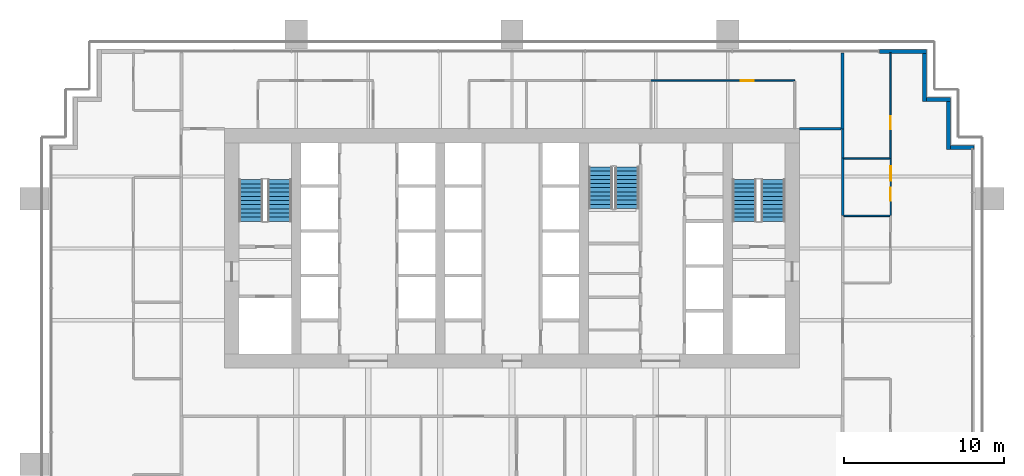
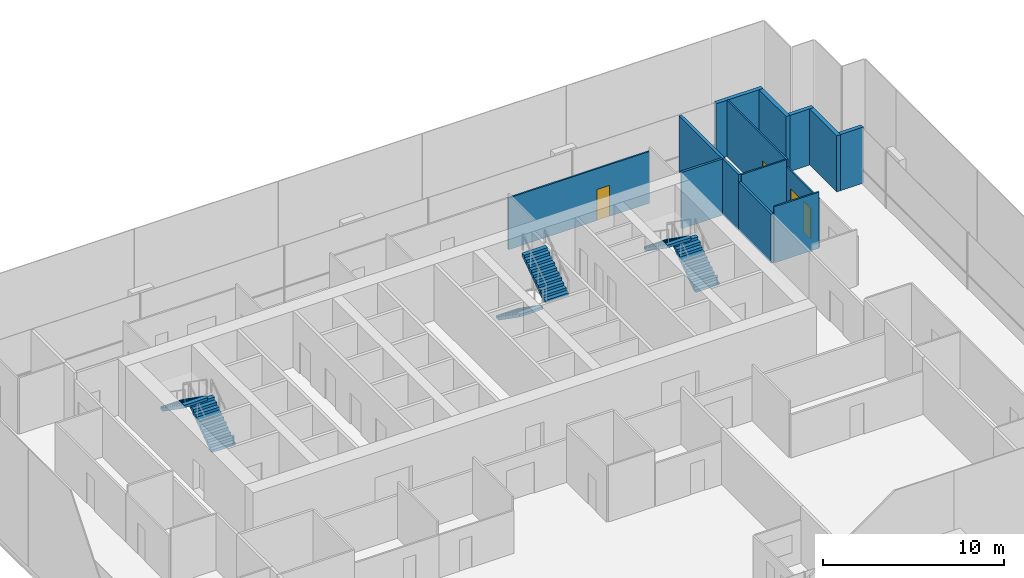
# One storey, part 14 of 17: 14 walls, 6 stair flights, 3 doors, 1 window, 4 openings, 3 elements without a shape of their own.
"""IFC4 building model written with IfcOpenShell, lengths in metres."""

from ifc_helpers import new_model, si_unit, direction, frame, frame_2d, origin, place, context, subcontext, project, spatial, polyline, rectangle, outline, extrude, material, layer, layer_set, type_object, element, fill, aggregate, save


model = new_model("IFC4")

# Units and contexts
model_context = context("Model", 3, precision=1e-05, world=origin(), true_north=direction((0.0, 1.0)))
body_context = subcontext(model_context, "Body", "Model", "MODEL_VIEW")
ifc_project = project(units=[si_unit("LENGTHUNIT", "METRE"), si_unit("AREAUNIT", "SQUARE_METRE"), si_unit("VOLUMEUNIT", "CUBIC_METRE"), si_unit("PLANEANGLEUNIT", "RADIAN"), si_unit("MASSUNIT", "GRAM", prefix="KILO")], contexts=[model_context])

# Site, building, storey
site_placement = place(None, origin())
site = spatial("IfcSite", under=ifc_project, at=site_placement, CompositionType="ELEMENT")
building_placement = place(site_placement, origin())
building = spatial("IfcBuilding", under=site, at=building_placement, Name="Rattan Terrace Tower", CompositionType="ELEMENT")
storey_placement = place(building_placement, frame((0.0, 0.0, 126.10009765625)))
storey = spatial("IfcBuildingStorey", under=building, at=storey_placement, Name="L28", CompositionType="ELEMENT", Elevation=126.10009765625)

# Walls
ifc_material_1 = material(Name="Insulated aluminium-clad stud wall", Category="aluminium")
ifc_layer_1 = layer(ifc_material_1, 0.25)
ifc_layer_set_1 = layer_set([ifc_layer_1], Name="Facade Riser Wall 250")
wall_type_1 = type_object("IfcWallType", Name="Facade Riser Wall 250", PredefinedType="SOLIDWALL", material=ifc_layer_set_1)
wall_1_placement = place(storey_placement, frame((28.909912109375, 6.330078125, 0.0), z_axis=(0.0, 0.0, 1.0), x_axis=(-1.0, 0.0, 0.0)))
element("IfcWall", 1, at=wall_1_placement, inside=storey, type_object=wall_type_1, Name="Riser wall L28-6", PredefinedType="SOLIDWALL", context=body_context, shape_type="SweptSolid", body=[
    extrude(rectangle(XDim=1.454833984375, YDim=0.25, at=frame_2d((0.7275390625, 0.0))), origin(), (0.0, 0.0, 1.0), 3.7998046875),
])
wall_2_placement = place(storey_placement, frame((27.330078125, 6.205078125, 0.0), z_axis=(0.0, 0.0, 1.0), x_axis=(0.0, 1.0, 0.0)))
element("IfcWall", 2, at=wall_2_placement, inside=storey, type_object=wall_type_1, Name="Riser wall L28-7", PredefinedType="SOLIDWALL", context=body_context, shape_type="SweptSolid", body=[
    extrude(rectangle(XDim=3.0, YDim=0.25, at=frame_2d((1.5, 0.0))), origin(), (0.0, 0.0, 1.0), 3.7998046875),
])
wall_3_placement = place(storey_placement, frame((27.455078125, 9.330078125, 0.0), z_axis=(0.0, 0.0, 1.0), x_axis=(-1.0, 0.0, 0.0)))
element("IfcWall", 3, at=wall_3_placement, inside=storey, type_object=wall_type_1, Name="Riser wall L28-8", PredefinedType="SOLIDWALL", context=body_context, shape_type="SweptSolid", body=[
    extrude(rectangle(XDim=1.5, YDim=0.25, at=frame_2d((0.75, 0.0))), origin(), (0.0, 0.0, 1.0), 3.7998046875),
])
wall_4_placement = place(storey_placement, frame((25.830078125, 9.205078125, 0.0), z_axis=(0.0, 0.0, 1.0), x_axis=(0.0, 1.0, 0.0)))
element("IfcWall", 4, at=wall_4_placement, inside=storey, type_object=wall_type_1, Name="Riser wall L28-9", PredefinedType="SOLIDWALL", context=body_context, shape_type="SweptSolid", body=[
    extrude(rectangle(XDim=3.0, YDim=0.25, at=frame_2d((1.5, 0.0))), origin(), (0.0, 0.0, 1.0), 3.7998046875),
])
wall_5_placement = place(storey_placement, frame((25.955078125, 12.330078125, 0.0), z_axis=(0.0, 0.0, 1.0), x_axis=(-1.0, 0.0, 0.0)))
element("IfcWall", 5, at=wall_5_placement, inside=storey, type_object=wall_type_1, Name="Riser wall L28-10", PredefinedType="SOLIDWALL", context=body_context, shape_type="SweptSolid", body=[
    extrude(rectangle(XDim=2.955078125, YDim=0.25, at=frame_2d((1.4775390625, 0.0))), origin(), (0.0, 0.0, 1.0), 3.7998046875),
])
ifc_material_2 = material(Name="Double steel stud acoustic partition, gypsum board, mineral wool, fire rated", Category="steel")
ifc_layer_2 = layer(ifc_material_2, 0.179931640625)
ifc_layer_set_2 = layer_set([ifc_layer_2], Name="Floors Acoustic Party Wall 180")
wall_type_2 = type_object("IfcWallType", Name="Floors Acoustic Party Wall 180", PredefinedType="PARTITIONING", material=ifc_layer_set_2)
wall_6_placement = place(storey_placement, frame((20.699951171875, 7.47998046875, 0.0), z_axis=(0.0, 0.0, 1.0), x_axis=(0.0, 1.0, 0.0)))
element("IfcWall", 6, at=wall_6_placement, inside=storey, type_object=wall_type_2, Name="pt-L28-076", PredefinedType="PARTITIONING", context=body_context, shape_type="SweptSolid", body=[
    extrude(rectangle(XDim=4.760009765625, YDim=0.179931640625, at=frame_2d((2.3798828125, 0.0))), origin(), (0.0, 0.0, 1.0), 3.7998046875),
])

# Wall, openings, door, window
ifc_material_3 = material(Name="Gypsum board partition on steel studs", Category="steel")
ifc_layer_3 = layer(ifc_material_3, 0.10009765625)
ifc_layer_set_3 = layer_set([ifc_layer_3], Name="Floors Partition 100")
wall_type_3 = type_object("IfcWallType", Name="Floors Partition 100", PredefinedType="PARTITIONING", material=ifc_layer_set_3)
wall_7_placement = place(storey_placement, frame((23.699951171875, 2.06005859375, 0.0), z_axis=(0.0, 0.0, 1.0), x_axis=(0.0, 1.0, 0.0)))
wall_7 = element("IfcWall", 7, at=wall_7_placement, inside=storey, type_object=wall_type_3, Name="pt-L28-069", PredefinedType="PARTITIONING", context=body_context, shape_type="SweptSolid", body=[
    extrude(rectangle(XDim=3.56005859375, YDim=0.10009765625, at=frame_2d((1.780029296875, 0.0))), origin(), (0.0, 0.0, 1.0), 3.2998046875),
])
opening_1_placement = place(wall_7_placement, frame((0.927978515625, 0.0, 0.0)))
opening_1 = element("IfcOpeningElement", 8, at=opening_1_placement, cuts=wall_7, Name="Opening L28-D122", PredefinedType="OPENING", context=body_context, shape_type="SweptSolid", body=[
    extrude(rectangle(XDim=0.800048828125, YDim=2.10009765625, at=frame_2d((0.39990234375, 1.050048828125))), frame((0.0, 0.060546875, 0.0), z_axis=(0.0, -1.0, 0.0), x_axis=(1.0, 0.0, 0.0)), (0.0, 0.0, 1.0), 0.12109375),
])
opening_2_placement = place(wall_7_placement, frame((2.178955078125, 0.0, 0.89990234375)))
opening_2 = element("IfcOpeningElement", 9, at=opening_2_placement, cuts=wall_7, Name="Opening L28-W104", PredefinedType="OPENING", context=body_context, shape_type="SweptSolid", body=[
    extrude(rectangle(XDim=0.89990234375, YDim=1.199951171875, at=frame_2d((0.449951171875, 0.60009765625))), frame((0.0, 0.060546875, 0.0), z_axis=(0.0, -1.0, 0.0), x_axis=(1.0, 0.0, 0.0)), (0.0, 0.0, 1.0), 0.12109375),
])
ifc_material_4 = material(Name="Solid core timber door, painted", Category="wood")
door_type = type_object("IfcDoorType", Name="Floors Store Door 800x2100", OperationType="NOTDEFINED", PredefinedType="DOOR", material=ifc_material_4)
door_1_placement = place(opening_1_placement, origin())
door_1 = element("IfcDoor", 10, at=door_1_placement, inside=storey, type_object=door_type, Name="d-L28-122", OperationType="SINGLE_SWING_LEFT", OverallHeight=2.10009765625, OverallWidth=0.800048828125, PredefinedType="DOOR", context=body_context, shape_type="SweptSolid", body=[
    extrude(rectangle(XDim=0.800048828125, YDim=2.10009765625, at=frame_2d((0.39990234375, 1.050048828125))), frame((0.0, 0.02490234375, 0.0), z_axis=(0.0, -1.0, 0.0), x_axis=(1.0, 0.0, 0.0)), (0.0, 0.0, 1.0), 0.050048828125),
])
fill(opening_1, door_1)
ifc_material_5 = material(Name="Glass, clear, fixed in aluminium frame", Category="aluminium")
window_type = type_object("IfcWindowType", Name="Interior Vision Window 900x1200", PartitioningType="SINGLE_PANEL", PredefinedType="WINDOW", material=ifc_material_5)
window_placement = place(opening_2_placement, origin())
window = element("IfcWindow", 11, at=window_placement, inside=storey, type_object=window_type, Name="w-L28-104", OverallHeight=1.199951171875, OverallWidth=0.89990234375, PartitioningType="SINGLE_PANEL", PredefinedType="WINDOW", context=body_context, shape_type="SweptSolid", body=[
    extrude(rectangle(XDim=0.89990234375, YDim=1.199951171875, at=frame_2d((0.449951171875, 0.60009765625))), frame((0.0, 0.030029296875, 0.0), z_axis=(0.0, -1.0, 0.0), x_axis=(1.0, 0.0, 0.0)), (0.0, 0.0, 1.0), 0.06005859375),
])
fill(opening_2, window)

# Wall, opening, door
wall_8_placement = place(storey_placement, frame((23.699951171875, 5.6201171875, 0.0), z_axis=(0.0, 0.0, 1.0), x_axis=(0.0, 1.0, 0.0)))
wall_8 = element("IfcWall", 12, at=wall_8_placement, inside=storey, type_object=wall_type_3, Name="pt-L28-070", PredefinedType="PARTITIONING", context=body_context, shape_type="SweptSolid", body=[
    extrude(rectangle(XDim=6.619873046875, YDim=0.10009765625, at=frame_2d((3.31005859375, 0.0))), origin(), (0.0, 0.0, 1.0), 3.7998046875),
])
opening_3_placement = place(wall_8_placement, frame((1.845947265625, 0.0, 0.0)))
opening_3 = element("IfcOpeningElement", 13, at=opening_3_placement, cuts=wall_8, Name="Opening L28-D123", PredefinedType="OPENING", context=body_context, shape_type="SweptSolid", body=[
    extrude(rectangle(XDim=0.800048828125, YDim=2.10009765625, at=frame_2d((0.39990234375, 1.050048828125))), frame((0.0, 0.060546875, 0.0), z_axis=(0.0, -1.0, 0.0), x_axis=(1.0, 0.0, 0.0)), (0.0, 0.0, 1.0), 0.12109375),
])
door_2_placement = place(opening_3_placement, origin())
door_2 = element("IfcDoor", 14, at=door_2_placement, inside=storey, type_object=door_type, Name="d-L28-123", OperationType="SINGLE_SWING_LEFT", OverallHeight=2.10009765625, OverallWidth=0.800048828125, PredefinedType="DOOR", context=body_context, shape_type="SweptSolid", body=[
    extrude(rectangle(XDim=0.800048828125, YDim=2.10009765625, at=frame_2d((0.39990234375, 1.050048828125))), frame((0.0, 0.02490234375, 0.0), z_axis=(0.0, -1.0, 0.0), x_axis=(1.0, 0.0, 0.0)), (0.0, 0.0, 1.0), 0.050048828125),
])
fill(opening_3, door_2)

# Walls
for number, where, z_axis, x_axis, name in (
    (15, (20.77490234375, 2.0400390625, 0.0), (0.0, 0.0, 1.0), (1.0, 0.0, 0.0), "pt-L28-074"),
    (16, (20.77490234375, 5.639892578125, 0.0), (0.0, 0.0, 1.0), (1.0, 0.0, 0.0), "pt-L28-075"),
):
    element("IfcWall", number, at=place(storey_placement, frame(where, z_axis=z_axis, x_axis=x_axis)), inside=storey, type_object=wall_type_3, Name=name, PredefinedType="PARTITIONING", context=body_context, shape_type="SweptSolid", body=[
        extrude(rectangle(XDim=2.875, YDim=0.10009765625, at=frame_2d((1.4375, 0.0))), origin(), (0.0, 0.0, 1.0), 3.7998046875),
    ])

# Wall, opening, door
wall_9_placement = place(storey_placement, frame((17.699951171875, 10.5, 0.0), z_axis=(0.0, 0.0, 1.0), x_axis=(-1.0, 0.0, 0.0)))
wall_9 = element("IfcWall", 17, at=wall_9_placement, inside=storey, type_object=wall_type_3, Name="pt-L28-083", PredefinedType="PARTITIONING", context=body_context, shape_type="SweptSolid", body=[
    extrude(rectangle(XDim=9.02001953125, YDim=0.10009765625, at=frame_2d((4.510009765625, 0.0))), origin(), (0.0, 0.0, 1.0), 3.5),
])
opening_4_placement = place(wall_9_placement, frame((2.56591796875, 0.0, 0.0)))
opening_4 = element("IfcOpeningElement", 18, at=opening_4_placement, cuts=wall_9, Name="Opening L28-D128", PredefinedType="OPENING", context=body_context, shape_type="SweptSolid", body=[
    extrude(rectangle(XDim=0.800048828125, YDim=2.10009765625, at=frame_2d((0.39990234375, 1.050048828125))), frame((0.0, 0.060546875, 0.0), z_axis=(0.0, -1.0, 0.0), x_axis=(1.0, 0.0, 0.0)), (0.0, 0.0, 1.0), 0.12109375),
])
door_3_placement = place(opening_4_placement, origin())
door_3 = element("IfcDoor", 19, at=door_3_placement, inside=storey, type_object=door_type, Name="d-L28-128", OperationType="SINGLE_SWING_LEFT", OverallHeight=2.10009765625, OverallWidth=0.800048828125, PredefinedType="DOOR", context=body_context, shape_type="SweptSolid", body=[
    extrude(rectangle(XDim=0.800048828125, YDim=2.10009765625, at=frame_2d((0.39990234375, 1.050048828125))), frame((0.0, 0.02490234375, 0.0), z_axis=(0.0, -1.0, 0.0), x_axis=(1.0, 0.0, 0.0)), (0.0, 0.0, 1.0), 0.050048828125),
])
fill(opening_4, door_3)

# Walls
ifc_material_6 = material(Name="Gypsum board partition on steel studs, fire rated", Category="steel")
ifc_layer_4 = layer(ifc_material_6, 0.14990234375)
ifc_layer_set_4 = layer_set([ifc_layer_4], Name="Floors Tenancy Wall 150")
wall_type_4 = type_object("IfcWallType", Name="Floors Tenancy Wall 150", PredefinedType="PARTITIONING", material=ifc_layer_set_4)
wall_10_placement = place(storey_placement, frame((20.699951171875, 5.659912109375, 0.0), z_axis=(0.0, 0.0, 1.0), x_axis=(0.0, -1.0, 0.0)))
element("IfcWall", 20, at=wall_10_placement, inside=storey, type_object=wall_type_4, Name="pt-L28-016", PredefinedType="PARTITIONING", context=body_context, shape_type="SweptSolid", body=[
    extrude(rectangle(XDim=3.599853515625, YDim=0.14990234375, at=frame_2d((1.7998046875, 0.0))), origin(), (0.0, 0.0, 1.0), 3.2998046875),
])
wall_11_placement = place(storey_placement, frame((20.700927734375, 7.47998046875, 0.0), z_axis=(0.0, 0.0, 1.0), x_axis=(0.0, -1.0, 0.0)))
element("IfcWall", 21, at=wall_11_placement, inside=storey, type_object=wall_type_4, Name="pt-L28-017", PredefinedType="PARTITIONING", context=body_context, shape_type="SweptSolid", body=[
    extrude(rectangle(XDim=1.820068359375, YDim=0.14990234375, at=frame_2d((0.91015625, 0.0))), origin(), (0.0, 0.0, 1.0), 3.7998046875),
])
wall_12_placement = place(storey_placement, frame((18.0, 7.4990234375, 0.0), z_axis=(0.0, 0.0, 1.0), x_axis=(1.0, 0.0, 0.0)))
element("IfcWall", 22, at=wall_12_placement, inside=storey, type_object=wall_type_4, Name="pt-L28-019", PredefinedType="PARTITIONING", context=body_context, shape_type="SweptSolid", body=[
    extrude(rectangle(XDim=2.610107421875, YDim=0.14990234375, at=frame_2d((1.30517578125, 0.0))), origin(), (0.0, 0.0, 1.0), 3.7998046875),
])

# Stair, stair flights
ifc_material_7 = material(Name="Concrete C40/50", Category="concrete")
stair_type = type_object("IfcStairType", Name="Core exit stair 1500", PredefinedType="HALF_TURN_STAIR", material=ifc_material_7)
stair_1_placement = place(storey_placement, origin())
stair_1 = element("IfcStair", 23, at=stair_1_placement, inside=storey, type_object=stair_type, Name="L28 exit stair 1", PredefinedType="HALF_TURN_STAIR")
ifc_material_8 = material(Name="Concrete C40/50", Category="concrete")
stair_flight_type = type_object("IfcStairFlightType", Name="Core exit stair flight 1500", PredefinedType="STRAIGHT", material=ifc_material_8)
stair_flight_1_placement = place(storey_placement, frame((-14.550048828125, 1.699951171875, 0.0), z_axis=(0.0, 0.0, 1.0), x_axis=(0.0, 1.0, 0.0)))
stair_flight_1 = element("IfcStairFlight", 24, at=stair_flight_1_placement, type_object=stair_flight_type, Name="S1 flight 1", NumberOfRisers=11, NumberOfTreads=10, PredefinedType="STRAIGHT", RiserHeight=0.181818182, TreadLength=0.26, context=body_context, shape_type="SweptSolid", body=[
    extrude(outline(polyline([(0.0, 0.0), (0.0, 0.181884765625), (0.260009765625, 0.181884765625), (0.260009765625, 0.363525390625), (0.52001953125, 0.363525390625), (0.52001953125, 0.54541015625), (0.780029296875, 0.54541015625), (0.780029296875, 0.727294921875), (1.0400390625, 0.727294921875), (1.0400390625, 0.9091796875), (1.300048828125, 0.9091796875), (1.300048828125, 1.0908203125), (1.56005859375, 1.0908203125), (1.56005859375, 1.272705078125), (1.820068359375, 1.272705078125), (1.820068359375, 1.45458984375), (2.080078125, 1.45458984375), (2.080078125, 1.636474609375), (2.340087890625, 1.636474609375), (2.340087890625, 1.818115234375), (2.60009765625, 1.818115234375), (2.60009765625, 2.0), (2.60009765625, 1.63525390625), (0.261474609375, 0.0), (0.0, 0.0)])), frame((0.0, 0.75, 0.0), z_axis=(0.0, -1.0, 0.0), x_axis=(1.0, 0.0, 0.0)), (0.0, 0.0, 1.0), 1.5),
])
stair_flight_2_placement = place(storey_placement, frame((-16.35009765625, 4.300048828125, 2.0), z_axis=(0.0, 0.0, 1.0), x_axis=(0.0, -1.0, 0.0)))
stair_flight_2 = element("IfcStairFlight", 25, at=stair_flight_2_placement, type_object=stair_flight_type, Name="S1 flight 2", NumberOfRisers=11, NumberOfTreads=10, PredefinedType="STRAIGHT", RiserHeight=0.181818182, TreadLength=0.26, context=body_context, shape_type="SweptSolid", body=[
    extrude(outline(polyline([(0.0, 0.0), (0.0, 0.181884765625), (0.260009765625, 0.181884765625), (0.260009765625, 0.363525390625), (0.52001953125, 0.363525390625), (0.52001953125, 0.54541015625), (0.780029296875, 0.54541015625), (0.780029296875, 0.727294921875), (1.0400390625, 0.727294921875), (1.0400390625, 0.9091796875), (1.300048828125, 0.9091796875), (1.300048828125, 1.0908203125), (1.56005859375, 1.0908203125), (1.56005859375, 1.272705078125), (1.820068359375, 1.272705078125), (1.820068359375, 1.45458984375), (2.080078125, 1.45458984375), (2.080078125, 1.636474609375), (2.340087890625, 1.636474609375), (2.340087890625, 1.818115234375), (2.60009765625, 1.818115234375), (2.60009765625, 2.0), (2.60009765625, 1.63525390625), (0.261474609375, 0.0), (0.0, 0.0)])), frame((0.0, 0.75, 0.0), z_axis=(0.0, -1.0, 0.0), x_axis=(1.0, 0.0, 0.0)), (0.0, 0.0, 1.0), 1.5),
])
aggregate(stair_1, [stair_flight_1, stair_flight_2])

stair_2_placement = place(storey_placement, origin())
stair_2 = element("IfcStair", 26, at=stair_2_placement, inside=storey, type_object=stair_type, Name="L28 exit stair 2", PredefinedType="HALF_TURN_STAIR")
stair_flight_3_placement = place(storey_placement, frame((16.35009765625, 1.699951171875, 0.0), z_axis=(0.0, 0.0, 1.0), x_axis=(0.0, 1.0, 0.0)))
stair_flight_3 = element("IfcStairFlight", 27, at=stair_flight_3_placement, type_object=stair_flight_type, Name="S2 flight 1", NumberOfRisers=11, NumberOfTreads=10, PredefinedType="STRAIGHT", RiserHeight=0.181818182, TreadLength=0.26, context=body_context, shape_type="SweptSolid", body=[
    extrude(outline(polyline([(0.0, 0.0), (0.0, 0.181884765625), (0.260009765625, 0.181884765625), (0.260009765625, 0.363525390625), (0.52001953125, 0.363525390625), (0.52001953125, 0.54541015625), (0.780029296875, 0.54541015625), (0.780029296875, 0.727294921875), (1.0400390625, 0.727294921875), (1.0400390625, 0.9091796875), (1.300048828125, 0.9091796875), (1.300048828125, 1.0908203125), (1.56005859375, 1.0908203125), (1.56005859375, 1.272705078125), (1.820068359375, 1.272705078125), (1.820068359375, 1.45458984375), (2.080078125, 1.45458984375), (2.080078125, 1.636474609375), (2.340087890625, 1.636474609375), (2.340087890625, 1.818115234375), (2.60009765625, 1.818115234375), (2.60009765625, 2.0), (2.60009765625, 1.63525390625), (0.261474609375, 0.0), (0.0, 0.0)])), frame((0.0, 0.75, 0.0), z_axis=(0.0, -1.0, 0.0), x_axis=(1.0, 0.0, 0.0)), (0.0, 0.0, 1.0), 1.5),
])
stair_flight_4_placement = place(storey_placement, frame((14.550048828125, 4.300048828125, 2.0), z_axis=(0.0, 0.0, 1.0), x_axis=(0.0, -1.0, 0.0)))
stair_flight_4 = element("IfcStairFlight", 28, at=stair_flight_4_placement, type_object=stair_flight_type, Name="S2 flight 2", NumberOfRisers=11, NumberOfTreads=10, PredefinedType="STRAIGHT", RiserHeight=0.181818182, TreadLength=0.26, context=body_context, shape_type="SweptSolid", body=[
    extrude(outline(polyline([(0.0, 0.0), (0.0, 0.181884765625), (0.260009765625, 0.181884765625), (0.260009765625, 0.363525390625), (0.52001953125, 0.363525390625), (0.52001953125, 0.54541015625), (0.780029296875, 0.54541015625), (0.780029296875, 0.727294921875), (1.0400390625, 0.727294921875), (1.0400390625, 0.9091796875), (1.300048828125, 0.9091796875), (1.300048828125, 1.0908203125), (1.56005859375, 1.0908203125), (1.56005859375, 1.272705078125), (1.820068359375, 1.272705078125), (1.820068359375, 1.45458984375), (2.080078125, 1.45458984375), (2.080078125, 1.636474609375), (2.340087890625, 1.636474609375), (2.340087890625, 1.818115234375), (2.60009765625, 1.818115234375), (2.60009765625, 2.0), (2.60009765625, 1.63525390625), (0.261474609375, 0.0), (0.0, 0.0)])), frame((0.0, 0.75, 0.0), z_axis=(0.0, -1.0, 0.0), x_axis=(1.0, 0.0, 0.0)), (0.0, 0.0, 1.0), 1.5),
])
aggregate(stair_2, [stair_flight_3, stair_flight_4])

stair_3_placement = place(storey_placement, origin())
stair_3 = element("IfcStair", 29, at=stair_3_placement, inside=storey, type_object=stair_type, Name="L28 exit stair 3", PredefinedType="HALF_TURN_STAIR")
stair_flight_5_placement = place(storey_placement, frame((5.550048828125, 5.10009765625, 0.0), z_axis=(0.0, 0.0, 1.0), x_axis=(0.0, -1.0, 0.0)))
stair_flight_5 = element("IfcStairFlight", 30, at=stair_flight_5_placement, type_object=stair_flight_type, Name="S3 flight 1", NumberOfRisers=11, NumberOfTreads=10, PredefinedType="STRAIGHT", RiserHeight=0.181818182, TreadLength=0.26, context=body_context, shape_type="SweptSolid", body=[
    extrude(outline(polyline([(0.0, 0.0), (0.0, 0.181884765625), (0.260009765625, 0.181884765625), (0.260009765625, 0.363525390625), (0.52001953125, 0.363525390625), (0.52001953125, 0.54541015625), (0.780029296875, 0.54541015625), (0.780029296875, 0.727294921875), (1.0400390625, 0.727294921875), (1.0400390625, 0.9091796875), (1.300048828125, 0.9091796875), (1.300048828125, 1.0908203125), (1.56005859375, 1.0908203125), (1.56005859375, 1.272705078125), (1.820068359375, 1.272705078125), (1.820068359375, 1.45458984375), (2.080078125, 1.45458984375), (2.080078125, 1.636474609375), (2.340087890625, 1.636474609375), (2.340087890625, 1.818115234375), (2.60009765625, 1.818115234375), (2.60009765625, 2.0), (2.60009765625, 1.63525390625), (0.261474609375, 0.0), (0.0, 0.0)])), frame((0.0, 0.75, 0.0), z_axis=(0.0, -1.0, 0.0), x_axis=(1.0, 0.0, 0.0)), (0.0, 0.0, 1.0), 1.5),
])
stair_flight_6_placement = place(storey_placement, frame((7.199951171875, 2.5, 2.0), z_axis=(0.0, 0.0, 1.0), x_axis=(0.0, 1.0, 0.0)))
stair_flight_6 = element("IfcStairFlight", 31, at=stair_flight_6_placement, type_object=stair_flight_type, Name="S3 flight 2", NumberOfRisers=11, NumberOfTreads=10, PredefinedType="STRAIGHT", RiserHeight=0.181818182, TreadLength=0.26, context=body_context, shape_type="SweptSolid", body=[
    extrude(outline(polyline([(0.0, 0.0), (0.0, 0.181884765625), (0.260009765625, 0.181884765625), (0.260009765625, 0.363525390625), (0.52001953125, 0.363525390625), (0.52001953125, 0.54541015625), (0.780029296875, 0.54541015625), (0.780029296875, 0.727294921875), (1.0400390625, 0.727294921875), (1.0400390625, 0.9091796875), (1.300048828125, 0.9091796875), (1.300048828125, 1.0908203125), (1.56005859375, 1.0908203125), (1.56005859375, 1.272705078125), (1.820068359375, 1.272705078125), (1.820068359375, 1.45458984375), (2.080078125, 1.45458984375), (2.080078125, 1.636474609375), (2.340087890625, 1.636474609375), (2.340087890625, 1.818115234375), (2.60009765625, 1.818115234375), (2.60009765625, 2.0), (2.60009765625, 1.63525390625), (0.261474609375, 0.0), (0.0, 0.0)])), frame((0.0, 0.75, 0.0), z_axis=(0.0, -1.0, 0.0), x_axis=(1.0, 0.0, 0.0)), (0.0, 0.0, 1.0), 1.5),
])
aggregate(stair_3, [stair_flight_5, stair_flight_6])

save(model, "model.ifc")
